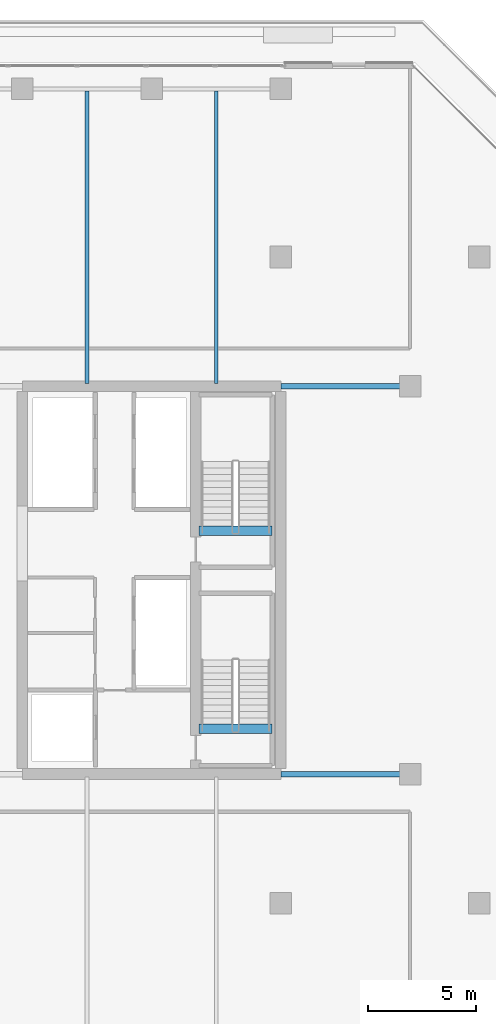
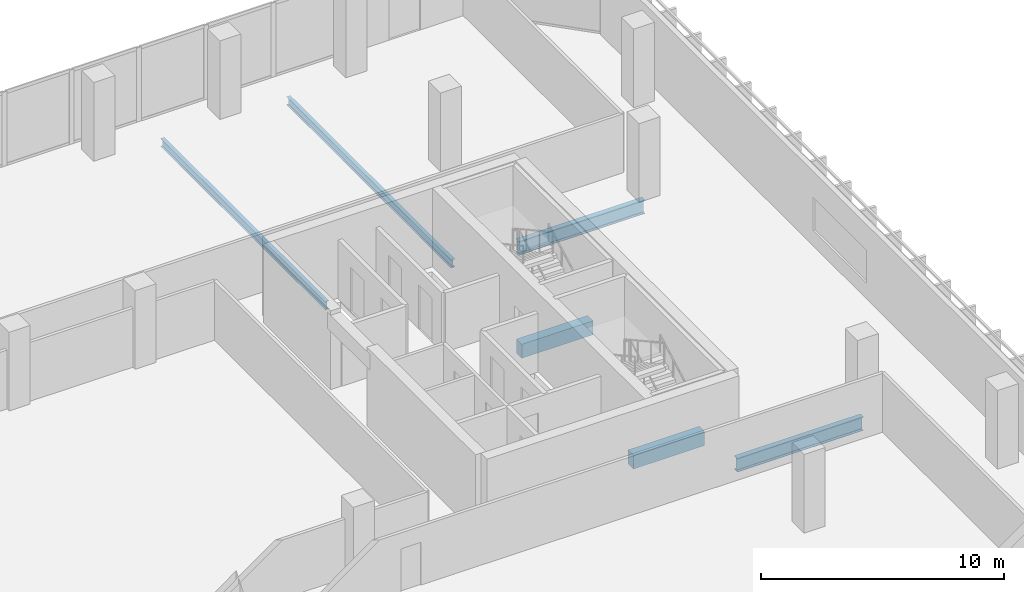
# One storey, part 23 of 38: 6 beams.
"""IFC4 building model written with IfcOpenShell, lengths in metres."""

from ifc_helpers import new_model, si_unit, direction, frame, origin, origin_2d, place, context, subcontext, project, spatial, rectangle, i_section, extrude, material, material_profile, profile_set, type_object, element, save


model = new_model("IFC4")

# Units and contexts
model_context = context("Model", 3, precision=1e-05, world=origin(), true_north=direction((0.0, 1.0)))
body_context = subcontext(model_context, "Body", "Model", "MODEL_VIEW")
ifc_project = project(units=[si_unit("LENGTHUNIT", "METRE"), si_unit("AREAUNIT", "SQUARE_METRE"), si_unit("VOLUMEUNIT", "CUBIC_METRE"), si_unit("PLANEANGLEUNIT", "RADIAN"), si_unit("MASSUNIT", "GRAM", prefix="KILO")], contexts=[model_context])

# Site, building, storey
site_placement = place(None, origin())
site = spatial("IfcSite", under=ifc_project, at=site_placement, CompositionType="ELEMENT")
building_placement = place(site_placement, origin())
building = spatial("IfcBuilding", under=site, at=building_placement, Name="Tanjung Sevakor Pilgrim Tower", CompositionType="ELEMENT")
storey_placement = place(building_placement, frame((0.0, 0.0, 78.2099609375)))
storey = spatial("IfcBuildingStorey", under=building, at=storey_placement, Name="L21", CompositionType="ELEMENT", Elevation=78.2099609375)

# Beams
ifc_material_1 = material(Name="Steel S355J2", Category="steel")
ifc_material_profile_1 = material_profile(ifc_material_1, i_section(OverallWidth=0.25439453125, OverallDepth=0.6875, WebThickness=0.01318359375, FlangeThickness=0.02099609375, FilletRadius=0.01513671875, at=origin_2d()))
ifc_profile_set_1 = profile_set([ifc_material_profile_1], Name="Steel S355J2")
beam_type_1 = type_object("IfcBeamType", Name="BM-B-G2-UB_686x254x152", PredefinedType="BEAM", material=ifc_profile_set_1)
for number, where, z_axis, x_axis, name in (
    (1, (90.0, 24.60009765625, -0.623779296875), (1.0, 0.0, 0.0), (0.0, 1.0, 0.0), "L21 Primary Floor Girder MAIN Y246-09"),
    (2, (90.0, 42.60009765625, -0.623779296875), (1.0, 0.0, 0.0), (0.0, 1.0, 0.0), "L21 Primary Floor Girder MAIN Y426-09"),
):
    element("IfcBeam", number, at=place(storey_placement, frame(where, z_axis=z_axis, x_axis=x_axis)), inside=storey, type_object=beam_type_1, Name=name, PredefinedType="BEAM", context=body_context, shape_type="SweptSolid", body=[
        extrude(i_section(OverallWidth=0.25439453125, OverallDepth=0.6875, WebThickness=0.01318359375, FlangeThickness=0.02099609375, FilletRadius=0.01513671875, at=origin_2d()), origin(), (0.0, 0.0, 1.0), 6.0),
    ])
ifc_material_2 = material(Name="Steel S355J2", Category="steel")
ifc_material_profile_2 = material_profile(ifc_material_2, i_section(OverallWidth=0.1787109375, OverallDepth=0.409423828125, WebThickness=0.0087890625, FlangeThickness=0.014404296875, FilletRadius=0.01025390625, at=origin_2d()))
ifc_profile_set_2 = profile_set([ifc_material_profile_2], Name="Steel S355J2")
beam_type_2 = type_object("IfcBeamType", Name="BM-B-J3-UB_406x178x67", PredefinedType="JOIST", material=ifc_profile_set_2)
for number, where, z_axis, x_axis, name in (
    (3, (81.0, 42.727294921875, -0.484619140625), (0.0, 1.0, 0.0), (-1.0, 0.0, 0.0), "L21 MAIN Joist 022"),
    (4, (87.0, 42.727294921875, -0.484619140625), (0.0, 1.0, 0.0), (-1.0, 0.0, 0.0), "L21 MAIN Joist 024"),
):
    element("IfcBeam", number, at=place(storey_placement, frame(where, z_axis=z_axis, x_axis=x_axis)), inside=storey, type_object=beam_type_2, Name=name, PredefinedType="JOIST", context=body_context, shape_type="SweptSolid", body=[
        extrude(i_section(OverallWidth=0.1787109375, OverallDepth=0.409423828125, WebThickness=0.0087890625, FlangeThickness=0.014404296875, FilletRadius=0.01025390625, at=origin_2d()), origin(), (0.0, 0.0, 1.0), 13.57275390625),
    ])
ifc_material_3 = material(Name="Concrete C60/75", Category="concrete")
ifc_material_profile_3 = material_profile(ifc_material_3, rectangle(XDim=0.449951171875, YDim=0.699951171875, at=origin_2d()))
ifc_profile_set_3 = profile_set([ifc_material_profile_3], Name="Concrete C60/75")
beam_type_3 = type_object("IfcBeamType", Name="BM-B-LN3-RC-BM_450x700", PredefinedType="LINTEL", material=ifc_profile_set_3)
for number, where, z_axis, x_axis, name in (
    (5, (86.199951171875, 26.699951171875, -0.349853515625), (1.0, 0.0, 0.0), (0.0, 1.0, 0.0), "L21 TS-E1 Stair Threshold Beam"),
    (6, (86.199951171875, 35.89990234375, -0.349853515625), (1.0, 0.0, 0.0), (0.0, 1.0, 0.0), "L21 TS-E2 Stair Threshold Beam"),
):
    element("IfcBeam", number, at=place(storey_placement, frame(where, z_axis=z_axis, x_axis=x_axis)), inside=storey, type_object=beam_type_3, Name=name, PredefinedType="LINTEL", context=body_context, shape_type="SweptSolid", body=[
        extrude(rectangle(XDim=0.449951171875, YDim=0.699951171875, at=origin_2d()), origin(), (0.0, 0.0, 1.0), 3.400146484375),
    ])

save(model, "model.ifc")
